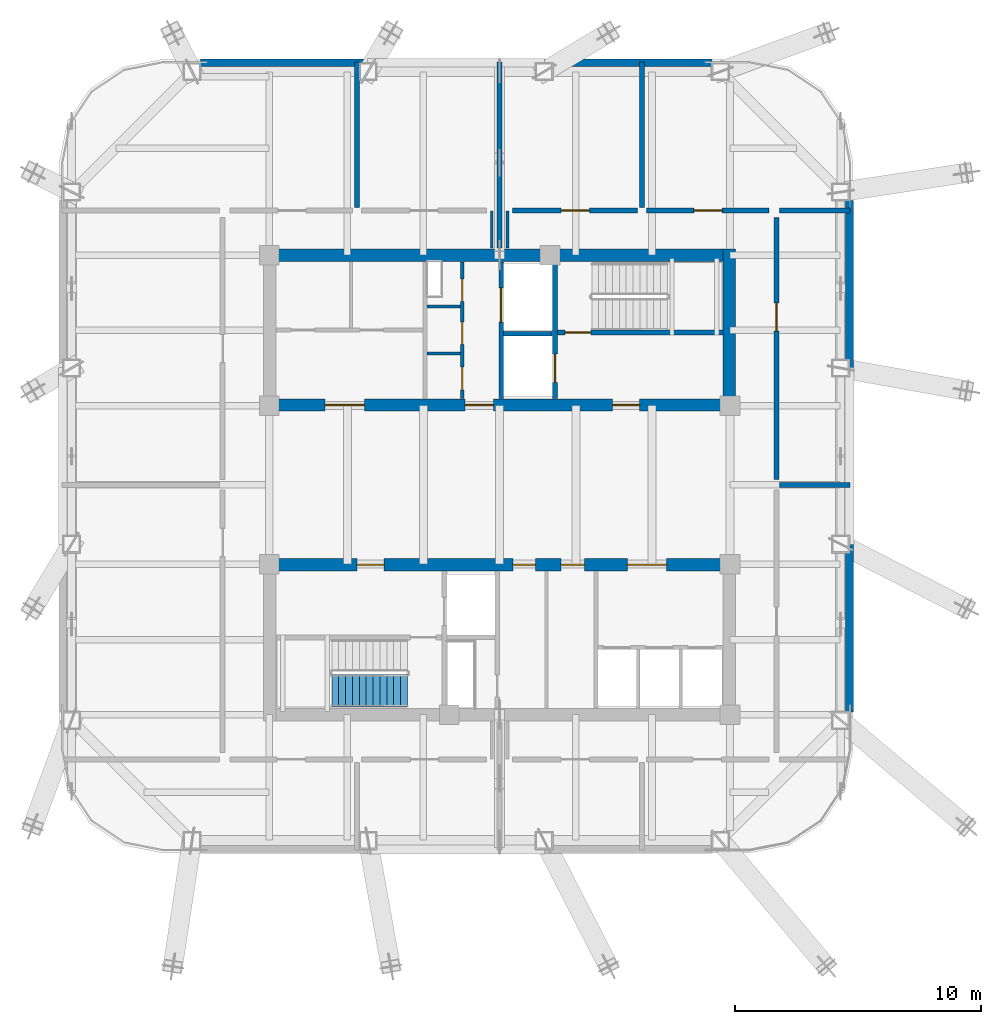
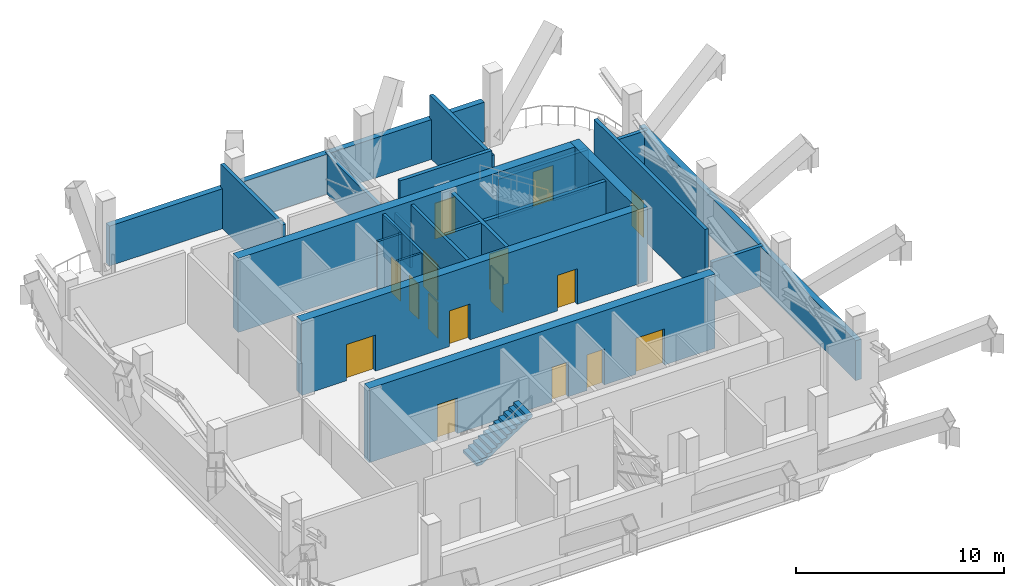
# One storey, part 5 of 9: 23 walls, 16 doors, 1 stair flight, 16 openings, 1 element without a shape of its own.
"""IFC4 building model written with IfcOpenShell, lengths in metres."""

from ifc_helpers import new_model, si_unit, direction, frame, frame_2d, origin, place, context, subcontext, project, spatial, polyline, rectangle, outline, extrude, material, layer, layer_set, type_object, element, fill, aggregate, save


model = new_model("IFC4")

# Units and contexts
model_context = context("Model", 3, precision=1e-05, world=origin(), true_north=direction((0.0, 1.0)))
body_context = subcontext(model_context, "Body", "Model", "MODEL_VIEW")
ifc_project = project(units=[si_unit("LENGTHUNIT", "METRE"), si_unit("AREAUNIT", "SQUARE_METRE"), si_unit("VOLUMEUNIT", "CUBIC_METRE"), si_unit("PLANEANGLEUNIT", "RADIAN"), si_unit("MASSUNIT", "GRAM", prefix="KILO")], contexts=[model_context])

# Site, building, storey
site_placement = place(None, origin())
site = spatial("IfcSite", under=ifc_project, at=site_placement, CompositionType="ELEMENT")
building_placement = place(site_placement, origin())
building = spatial("IfcBuilding", under=site, at=building_placement, Name="Qhalaya Broadcast Tower", CompositionType="ELEMENT")
storey_placement = place(building_placement, frame((0.0, 0.0, 195.14990234375)))
storey = spatial("IfcBuildingStorey", under=building, at=storey_placement, Name="L57", CompositionType="ELEMENT", Elevation=195.14990234375)

# Wall, openings, doors
ifc_material_1 = material(Name="Gypsum Acoustic Partition")
ifc_layer_1 = layer(ifc_material_1, 0.14990234375, Name="Gypsum Acoustic Partition")
ifc_layer_set_1 = layer_set([ifc_layer_1], Name="Gypsum Acoustic Partition")
wall_type_1 = type_object("IfcWallType", Name="Corridor & Tenancy Acoustic Partition 150", PredefinedType="PARTITIONING", material=ifc_layer_set_1)
wall_1_placement = place(storey_placement, frame((-1.52001953125, 4.1201171875, 0.0), z_axis=(0.0, 0.0, 1.0), x_axis=(0.0, 1.0, 0.0)))
wall_1 = element("IfcWall", 1, at=wall_1_placement, inside=storey, type_object=wall_type_1, Name="L57 Partition Wall NCW-SVL", PredefinedType="PARTITIONING", context=body_context, shape_type="SweptSolid", body=[
    extrude(rectangle(XDim=5.559814453125, YDim=0.14990234375, at=frame_2d((2.77978515625, 0.0))), origin(), (0.0, 0.0, 1.0), 4.16015625),
])
opening_1_placement = place(wall_1_placement, frame((3.949951171875, 0.0, 0.0)))
opening_1 = element("IfcOpeningElement", 2, at=opening_1_placement, cuts=wall_1, Name="Opening D06", PredefinedType="OPENING", context=body_context, shape_type="SweptSolid", body=[
    extrude(rectangle(XDim=0.89990234375, YDim=2.050048828125, at=frame_2d((0.449951171875, 1.02490234375))), frame((0.0, 0.0869140625, 0.0), z_axis=(0.0, -1.0, 0.0), x_axis=(1.0, 0.0, 0.0)), (0.0, 0.0, 1.0), 0.173828125),
])
opening_2_placement = place(wall_1_placement, frame((2.199951171875, 0.0, 0.0)))
opening_2 = element("IfcOpeningElement", 3, at=opening_2_placement, cuts=wall_1, Name="Opening D06", PredefinedType="OPENING", context=body_context, shape_type="SweptSolid", body=[
    extrude(rectangle(XDim=0.89990234375, YDim=2.050048828125, at=frame_2d((0.449951171875, 1.02490234375))), frame((0.0, 0.0869140625, 0.0), z_axis=(0.0, -1.0, 0.0), x_axis=(1.0, 0.0, 0.0)), (0.0, 0.0, 1.0), 0.173828125),
])
opening_3_placement = place(wall_1_placement, frame((0.35009765625, 0.0, 0.0)))
opening_3 = element("IfcOpeningElement", 4, at=opening_3_placement, cuts=wall_1, Name="Opening D12", PredefinedType="OPENING", context=body_context, shape_type="SweptSolid", body=[
    extrude(rectangle(XDim=0.919921875, YDim=2.10009765625, at=frame_2d((0.4599609375, 1.050048828125))), frame((0.0, 0.0869140625, 0.0), z_axis=(0.0, -1.0, 0.0), x_axis=(1.0, 0.0, 0.0)), (0.0, 0.0, 1.0), 0.173828125),
])
ifc_material_2 = material(Name="Timber Veneer Acoustic Door", Category="wood")
door_type_1 = type_object("IfcDoorType", Name="Accessible WC & Restroom Door D12", OperationType="NOTDEFINED", PredefinedType="DOOR", material=ifc_material_2)
door_1_placement = place(opening_3_placement, origin())
door_1 = element("IfcDoor", 5, at=door_1_placement, inside=storey, type_object=door_type_1, Name="L57 Door D-NCWC", OperationType="SINGLE_SWING_RIGHT", OverallHeight=2.10009765625, OverallWidth=0.919921875, PredefinedType="DOOR", context=body_context, shape_type="SweptSolid", body=[
    extrude(rectangle(XDim=0.919921875, YDim=2.10009765625, at=frame_2d((0.4599609375, 1.050048828125))), frame((0.0, 0.02490234375, 0.0), z_axis=(0.0, -1.0, 0.0), x_axis=(1.0, 0.0, 0.0)), (0.0, 0.0, 1.0), 0.050048828125),
])
fill(opening_3, door_1)
ifc_material_3 = material(Name="Fire-Rated Steel Door", Category="steel")
door_type_2 = type_object("IfcDoorType", Name="Riser & Electrical Shaft Access Door D06", OperationType="NOTDEFINED", PredefinedType="DOOR", material=ifc_material_3)
door_2_placement = place(opening_1_placement, origin())
door_2 = element("IfcDoor", 6, at=door_2_placement, inside=storey, type_object=door_type_2, Name="L57 Riser Shaft Access Door D-NRSR", OperationType="SINGLE_SWING_RIGHT", OverallHeight=2.050048828125, OverallWidth=0.89990234375, PredefinedType="DOOR", context=body_context, shape_type="SweptSolid", body=[
    extrude(rectangle(XDim=0.89990234375, YDim=2.050048828125, at=frame_2d((0.449951171875, 1.02490234375))), frame((0.0, 0.02490234375, 0.0), z_axis=(0.0, -1.0, 0.0), x_axis=(1.0, 0.0, 0.0)), (0.0, 0.0, 1.0), 0.050048828125),
])
fill(opening_1, door_2)
door_3_placement = place(opening_2_placement, origin())
door_3 = element("IfcDoor", 7, at=door_3_placement, inside=storey, type_object=door_type_2, Name="L57 Door D-NITR", OperationType="SINGLE_SWING_LEFT", OverallHeight=2.050048828125, OverallWidth=0.89990234375, PredefinedType="DOOR", context=body_context, shape_type="SweptSolid", body=[
    extrude(rectangle(XDim=0.89990234375, YDim=2.050048828125, at=frame_2d((0.449951171875, 1.02490234375))), frame((0.0, 0.02490234375, 0.0), z_axis=(0.0, -1.0, 0.0), x_axis=(1.0, 0.0, 0.0)), (0.0, 0.0, 1.0), 0.050048828125),
])
fill(opening_2, door_3)

# Walls
ifc_layer_2 = layer(ifc_material_1, 0.199951171875, Name="Gypsum Acoustic Partition")
ifc_layer_set_2 = layer_set([ifc_layer_2], Name="Gypsum Acoustic Partition")
wall_type_2 = type_object("IfcWallType", Name="Firefighting Lobby & Stair Enclosure Wall 200", PredefinedType="PARTITIONING", material=ifc_layer_set_2)
wall_2_placement = place(storey_placement, frame((0.0, 10.239990234375, 0.0), z_axis=(0.0, 0.0, 1.0), x_axis=(0.0, 1.0, 0.0)))
element("IfcWall", 8, at=wall_2_placement, inside=storey, type_object=wall_type_2, Name="L57 Partition Wall W-OBN", PredefinedType="PARTITIONING", context=body_context, shape_type="SweptSolid", body=[
    extrude(rectangle(XDim=7.56005859375, YDim=0.199951171875, at=frame_2d((3.780029296875, 0.0))), origin(), (0.0, 0.0, 1.0), 2.340087890625),
])
wall_3_placement = place(storey_placement, frame((-5.800048828125, 11.889892578125, 0.0), z_axis=(0.0, 0.0, 1.0), x_axis=(0.0, 1.0, 0.0)))
element("IfcWall", 9, at=wall_3_placement, inside=storey, type_object=wall_type_2, Name="L57 Partition Wall W-PDN1", PredefinedType="PARTITIONING", context=body_context, shape_type="SweptSolid", body=[
    extrude(rectangle(XDim=5.91015625, YDim=0.199951171875, at=frame_2d((2.955078125, 0.0))), origin(), (0.0, 0.0, 1.0), 3.68115234375),
])

# Wall, opening, door
wall_4_placement = place(storey_placement, frame((5.6201171875, 11.77001953125, 0.0), z_axis=(0.0, 0.0, 1.0), x_axis=(-1.0, 0.0, 0.0)))
wall_4 = element("IfcWall", 10, at=wall_4_placement, inside=storey, type_object=wall_type_2, Name="L57 Partition Wall W-PCN2", PredefinedType="PARTITIONING", context=body_context, shape_type="SweptSolid", body=[
    extrude(rectangle(XDim=5.090087890625, YDim=0.199951171875, at=frame_2d((2.544921875, 0.0))), origin(), (0.0, 0.0, 1.0), 4.16015625),
])
opening_4_placement = place(wall_4_placement, frame((1.969970703125, 0.0, 0.0)))
opening_4 = element("IfcOpeningElement", 11, at=opening_4_placement, cuts=wall_4, Name="Opening D05", PredefinedType="OPENING", context=body_context, shape_type="SweptSolid", body=[
    extrude(rectangle(XDim=1.14990234375, YDim=2.10009765625, at=frame_2d((0.574951171875, 1.050048828125))), frame((0.0, 0.112060546875, 0.0), z_axis=(0.0, -1.0, 0.0), x_axis=(1.0, 0.0, 0.0)), (0.0, 0.0, 1.0), 0.223876953125),
])
door_type_3 = type_object("IfcDoorType", Name="Refuge & Plant Room Fire Door D05", OperationType="NOTDEFINED", PredefinedType="DOOR", material=ifc_material_3)
door_4_placement = place(opening_4_placement, origin())
door_4 = element("IfcDoor", 12, at=door_4_placement, inside=storey, type_object=door_type_3, Name="L57 Door D-PCN2", OperationType="SINGLE_SWING_LEFT", OverallHeight=2.10009765625, OverallWidth=1.14990234375, PredefinedType="DOOR", context=body_context, shape_type="SweptSolid", body=[
    extrude(rectangle(XDim=1.14990234375, YDim=2.10009765625, at=frame_2d((0.574951171875, 1.050048828125))), frame((0.0, 0.02490234375, 0.0), z_axis=(0.0, -1.0, 0.0), x_axis=(1.0, 0.0, 0.0)), (0.0, 0.0, 1.0), 0.050048828125),
])
fill(opening_4, door_4)

# Wall
wall_5_placement = place(storey_placement, frame((5.800048828125, 11.889892578125, 0.0), z_axis=(0.0, 0.0, 1.0), x_axis=(0.0, 1.0, 0.0)))
element("IfcWall", 13, at=wall_5_placement, inside=storey, type_object=wall_type_2, Name="L57 Partition Wall W-PDN3", PredefinedType="PARTITIONING", context=body_context, shape_type="SweptSolid", body=[
    extrude(rectangle(XDim=5.91015625, YDim=0.199951171875, at=frame_2d((2.955078125, 0.0))), origin(), (0.0, 0.0, 1.0), 3.68115234375),
])

# Wall, opening, door
wall_6_placement = place(storey_placement, frame((10.969970703125, 11.77001953125, 0.0), z_axis=(0.0, 0.0, 1.0), x_axis=(-1.0, 0.0, 0.0)))
wall_6 = element("IfcWall", 14, at=wall_6_placement, inside=storey, type_object=wall_type_2, Name="L57 Partition Wall W-PCN3", PredefinedType="PARTITIONING", context=body_context, shape_type="SweptSolid", body=[
    extrude(rectangle(XDim=4.989990234375, YDim=0.199951171875, at=frame_2d((2.4951171875, 0.0))), origin(), (0.0, 0.0, 1.0), 2.340087890625),
])
opening_5_placement = place(wall_6_placement, frame((1.919921875, 0.0, 0.0)))
opening_5 = element("IfcOpeningElement", 15, at=opening_5_placement, cuts=wall_6, Name="Opening D05", PredefinedType="OPENING", context=body_context, shape_type="SweptSolid", body=[
    extrude(rectangle(XDim=1.14990234375, YDim=2.10009765625, at=frame_2d((0.574951171875, 1.050048828125))), frame((0.0, 0.112060546875, 0.0), z_axis=(0.0, -1.0, 0.0), x_axis=(1.0, 0.0, 0.0)), (0.0, 0.0, 1.0), 0.223876953125),
])
door_5_placement = place(opening_5_placement, origin())
door_5 = element("IfcDoor", 16, at=door_5_placement, inside=storey, type_object=door_type_3, Name="L57 Door D-PCN3", OperationType="SINGLE_SWING_LEFT", OverallHeight=2.10009765625, OverallWidth=1.14990234375, PredefinedType="DOOR", context=body_context, shape_type="SweptSolid", body=[
    extrude(rectangle(XDim=1.14990234375, YDim=2.10009765625, at=frame_2d((0.574951171875, 1.050048828125))), frame((0.0, 0.02490234375, 0.0), z_axis=(0.0, -1.0, 0.0), x_axis=(1.0, 0.0, 0.0)), (0.0, 0.0, 1.0), 0.050048828125),
])
fill(opening_5, door_5)

# Walls
for number, where, z_axis, x_axis, name in (
    (17, (11.389892578125, 11.77001953125, 0.0), (0.0, 0.0, 1.0), (1.0, 0.0, 0.0), "L57 Partition Wall W-PBNE"),
    (18, (11.389892578125, 0.60009765625, 0.0), (0.0, 0.0, 1.0), (1.0, 0.0, 0.0), "L57 Partition Wall W-PDE1"),
):
    element("IfcWall", number, at=place(storey_placement, frame(where, z_axis=z_axis, x_axis=x_axis)), inside=storey, type_object=wall_type_2, Name=name, PredefinedType="PARTITIONING", context=body_context, shape_type="SweptSolid", body=[
        extrude(rectangle(XDim=2.8701171875, YDim=0.199951171875, at=frame_2d((1.43505859375, 0.0))), origin(), (0.0, 0.0, 1.0), 2.340087890625),
    ])

# Wall, opening, door
wall_7_placement = place(storey_placement, frame((11.27001953125, 0.81005859375, 0.0), z_axis=(0.0, 0.0, 1.0), x_axis=(0.0, 1.0, 0.0)))
wall_7 = element("IfcWall", 19, at=wall_7_placement, inside=storey, type_object=wall_type_2, Name="L57 Partition Wall W-PCE2", PredefinedType="PARTITIONING", context=body_context, shape_type="SweptSolid", body=[
    extrude(rectangle(XDim=10.679931640625, YDim=0.199951171875, at=frame_2d((5.33984375, 0.0))), origin(), (0.0, 0.0, 1.0), 4.16015625),
])
opening_6_placement = place(wall_7_placement, frame((6.047119140625, 0.0, 0.0)))
opening_6 = element("IfcOpeningElement", 20, at=opening_6_placement, cuts=wall_7, Name="Opening D05", PredefinedType="OPENING", context=body_context, shape_type="SweptSolid", body=[
    extrude(rectangle(XDim=1.14990234375, YDim=2.10009765625, at=frame_2d((0.574951171875, 1.050048828125))), frame((0.0, 0.112060546875, 0.0), z_axis=(0.0, -1.0, 0.0), x_axis=(1.0, 0.0, 0.0)), (0.0, 0.0, 1.0), 0.223876953125),
])
door_6_placement = place(opening_6_placement, origin())
door_6 = element("IfcDoor", 21, at=door_6_placement, inside=storey, type_object=door_type_3, Name="L57 Door D-PCE2", OperationType="SINGLE_SWING_LEFT", OverallHeight=2.10009765625, OverallWidth=1.14990234375, PredefinedType="DOOR", context=body_context, shape_type="SweptSolid", body=[
    extrude(rectangle(XDim=1.14990234375, YDim=2.10009765625, at=frame_2d((0.574951171875, 1.050048828125))), frame((0.0, 0.02490234375, 0.0), z_axis=(0.0, -1.0, 0.0), x_axis=(1.0, 0.0, 0.0)), (0.0, 0.0, 1.0), 0.050048828125),
])
fill(opening_6, door_6)

ifc_material_4 = material(Name="Concrete C50/60", Category="concrete")
ifc_layer_3 = layer(ifc_material_4, 0.199951171875, Name="Concrete C50/60")
ifc_layer_set_3 = layer_set([ifc_layer_3], Name="Concrete C50/60")
wall_type_3 = type_object("IfcWallType", Name="Load-Bearing Stair Shaft Wall 200", PredefinedType="SHEAR", material=ifc_layer_set_3)
wall_8_placement = place(storey_placement, frame((2.360107421875, 6.804931640625, 0.0), z_axis=(0.0, 0.0, 1.0), x_axis=(1.0, 0.0, 0.0)))
wall_8 = element("IfcWall", 22, at=wall_8_placement, inside=storey, type_object=wall_type_3, Name="L57 Stair Core Shear Wall NCW-ST1", PredefinedType="SHEAR", context=body_context, shape_type="SweptSolid", body=[
    extrude(rectangle(XDim=6.719970703125, YDim=0.199951171875, at=frame_2d((3.35986328125, 0.0))), origin(), (0.0, 0.0, 1.0), 4.16015625),
])
opening_7_placement = place(wall_8_placement, frame((0.300048828125, 0.0, 0.0)))
opening_7 = element("IfcOpeningElement", 23, at=opening_7_placement, cuts=wall_8, Name="Opening D03", PredefinedType="OPENING", context=body_context, shape_type="SweptSolid", body=[
    extrude(rectangle(XDim=1.050048828125, YDim=2.080078125, at=frame_2d((0.52490234375, 1.0400390625))), frame((0.0, 0.112060546875, 0.0), z_axis=(0.0, -1.0, 0.0), x_axis=(1.0, 0.0, 0.0)), (0.0, 0.0, 1.0), 0.223876953125),
])
door_type_4 = type_object("IfcDoorType", Name="Core Stair Protected Fire Door D03", OperationType="NOTDEFINED", PredefinedType="DOOR", material=ifc_material_3)
door_7_placement = place(opening_7_placement, origin())
door_7 = element("IfcDoor", 24, at=door_7_placement, inside=storey, type_object=door_type_4, Name="L57 Door D-NST1", OperationType="SINGLE_SWING_LEFT", OverallHeight=2.080078125, OverallWidth=1.050048828125, PredefinedType="DOOR", context=body_context, shape_type="SweptSolid", body=[
    extrude(rectangle(XDim=1.050048828125, YDim=2.080078125, at=frame_2d((0.52490234375, 1.0400390625))), frame((0.0, 0.02490234375, 0.0), z_axis=(0.0, -1.0, 0.0), x_axis=(1.0, 0.0, 0.0)), (0.0, 0.0, 1.0), 0.050048828125),
])
fill(opening_7, door_7)

wall_9_placement = place(storey_placement, frame((2.25, 4.1201171875, 0.0), z_axis=(0.0, 0.0, 1.0), x_axis=(0.0, 1.0, 0.0)))
wall_9 = element("IfcWall", 25, at=wall_9_placement, inside=storey, type_object=wall_type_3, Name="L57 Stair Core Shear Wall NCW-FF", PredefinedType="SHEAR", context=body_context, shape_type="SweptSolid", body=[
    extrude(rectangle(XDim=5.559814453125, YDim=0.199951171875, at=frame_2d((2.77978515625, 0.0))), origin(), (0.0, 0.0, 1.0), 4.16015625),
])
opening_8_placement = place(wall_9_placement, frame((0.64990234375, 0.0, 0.0)))
opening_8 = element("IfcOpeningElement", 26, at=opening_8_placement, cuts=wall_9, Name="Opening LD2", PredefinedType="OPENING", context=body_context, shape_type="SweptSolid", body=[
    extrude(rectangle(XDim=1.14990234375, YDim=2.080078125, at=frame_2d((0.574951171875, 1.0400390625))), frame((0.0, 0.112060546875, 0.0), z_axis=(0.0, -1.0, 0.0), x_axis=(1.0, 0.0, 0.0)), (0.0, 0.0, 1.0), 0.223876953125),
])
ifc_material_5 = material(Name="Brushed Stainless Steel Lift Door", Category="steel")
door_type_5 = type_object("IfcDoorType", Name="Firefighting Lift Sliding Landing Door LD2", OperationType="DOUBLE_DOOR_SLIDING", PredefinedType="DOOR", material=ifc_material_5)
door_8_placement = place(opening_8_placement, origin())
door_8 = element("IfcDoor", 27, at=door_8_placement, inside=storey, type_object=door_type_5, Name="L57 Door LD-FF1", OperationType="DOUBLE_DOOR_SLIDING", OverallHeight=2.080078125, OverallWidth=1.14990234375, PredefinedType="DOOR", context=body_context, shape_type="SweptSolid", body=[
    extrude(rectangle(XDim=1.14990234375, YDim=2.080078125, at=frame_2d((0.574951171875, 1.0400390625))), frame((0.0, 0.02490234375, 0.0), z_axis=(0.0, -1.0, 0.0), x_axis=(1.0, 0.0, 0.0)), (0.0, 0.0, 1.0), 0.050048828125),
])
fill(opening_8, door_8)

# Wall
ifc_layer_4 = layer(ifc_material_4, 0.5, Name="Concrete C50/60")
ifc_layer_set_4 = layer_set([ifc_layer_4], Name="Concrete C50/60")
wall_type_4 = type_object("IfcWallType", Name="Mid Split-Core Shear Wall 500", PredefinedType="SHEAR", material=ifc_layer_set_4)
wall_10_placement = place(storey_placement, frame((-9.60009765625, 9.949951171875, 0.0), z_axis=(0.0, 0.0, 1.0), x_axis=(1.0, 0.0, 0.0)))
element("IfcWall", 28, at=wall_10_placement, inside=storey, type_object=wall_type_4, Name="L57 Split-Core Shear Wall CW-NN", PredefinedType="SHEAR", context=body_context, shape_type="SweptSolid", body=[
    extrude(rectangle(XDim=19.2001953125, YDim=0.5, at=frame_2d((9.60009765625, 0.0))), origin(), (0.0, 0.0, 1.0), 4.35009765625),
])

# Wall, openings, doors
wall_11_placement = place(storey_placement, frame((-9.60009765625, 3.85009765625, 0.0), z_axis=(0.0, 0.0, 1.0), x_axis=(1.0, 0.0, 0.0)))
wall_11 = element("IfcWall", 29, at=wall_11_placement, inside=storey, type_object=wall_type_4, Name="L57 Split-Core Shear Wall CW-NS", PredefinedType="SHEAR", context=body_context, shape_type="SweptSolid", body=[
    extrude(rectangle(XDim=19.2001953125, YDim=0.5, at=frame_2d((9.60009765625, 0.0))), origin(), (0.0, 0.0, 1.0), 4.35009765625),
])
opening_9_placement = place(wall_11_placement, frame((14.199951171875, 0.0, 0.0)))
opening_9 = element("IfcOpeningElement", 30, at=opening_9_placement, cuts=wall_11, Name="Opening D04", PredefinedType="OPENING", context=body_context, shape_type="SweptSolid", body=[
    extrude(rectangle(XDim=1.10009765625, YDim=2.080078125, at=frame_2d((0.550048828125, 1.0400390625))), frame((0.0, 0.261962890625, 0.0), z_axis=(0.0, -1.0, 0.0), x_axis=(1.0, 0.0, 0.0)), (0.0, 0.0, 1.0), 0.52392578125),
])
opening_10_placement = place(wall_11_placement, frame((8.199951171875, 0.0, 0.0)))
opening_10 = element("IfcOpeningElement", 31, at=opening_10_placement, cuts=wall_11, Name="Opening D05", PredefinedType="OPENING", context=body_context, shape_type="SweptSolid", body=[
    extrude(rectangle(XDim=1.14990234375, YDim=2.10009765625, at=frame_2d((0.574951171875, 1.050048828125))), frame((0.0, 0.261962890625, 0.0), z_axis=(0.0, -1.0, 0.0), x_axis=(1.0, 0.0, 0.0)), (0.0, 0.0, 1.0), 0.52392578125),
])
opening_11_placement = place(wall_11_placement, frame((2.5, 0.0, 0.0)))
opening_11 = element("IfcOpeningElement", 32, at=opening_11_placement, cuts=wall_11, Name="Opening D07", PredefinedType="OPENING", context=body_context, shape_type="SweptSolid", body=[
    extrude(rectangle(XDim=1.60009765625, YDim=2.1201171875, at=frame_2d((0.800048828125, 1.06005859375))), frame((0.0, 0.261962890625, 0.0), z_axis=(0.0, -1.0, 0.0), x_axis=(1.0, 0.0, 0.0)), (0.0, 0.0, 1.0), 0.52392578125),
])
door_type_6 = type_object("IfcDoorType", Name="Firefighting Lobby Rated Door D04", OperationType="NOTDEFINED", PredefinedType="DOOR", material=ifc_material_3)
door_9_placement = place(opening_9_placement, origin())
door_9 = element("IfcDoor", 33, at=door_9_placement, inside=storey, type_object=door_type_6, Name="L57 Door D-NFF", OperationType="SINGLE_SWING_RIGHT", OverallHeight=2.080078125, OverallWidth=1.10009765625, PredefinedType="DOOR", context=body_context, shape_type="SweptSolid", body=[
    extrude(rectangle(XDim=1.10009765625, YDim=2.080078125, at=frame_2d((0.550048828125, 1.0400390625))), frame((0.0, 0.02490234375, 0.0), z_axis=(0.0, -1.0, 0.0), x_axis=(1.0, 0.0, 0.0)), (0.0, 0.0, 1.0), 0.050048828125),
])
fill(opening_9, door_9)
ifc_material_6 = material(Name="Anodised Aluminium Glazed Door", Category="aluminium")
door_type_7 = type_object("IfcDoorType", Name="Passenger Lift Lobby Double Glazed Door D07", OperationType="DOUBLE_DOOR_SINGLE_SWING", PredefinedType="DOOR", material=ifc_material_6)
door_10_placement = place(opening_11_placement, origin())
door_10 = element("IfcDoor", 34, at=door_10_placement, inside=storey, type_object=door_type_7, Name="L57 Door D-NRECV", OperationType="DOUBLE_DOOR_SINGLE_SWING", OverallHeight=2.1201171875, OverallWidth=1.60009765625, PredefinedType="DOOR", context=body_context, shape_type="SweptSolid", body=[
    extrude(rectangle(XDim=1.60009765625, YDim=2.1201171875, at=frame_2d((0.800048828125, 1.06005859375))), frame((0.0, 0.02490234375, 0.0), z_axis=(0.0, -1.0, 0.0), x_axis=(1.0, 0.0, 0.0)), (0.0, 0.0, 1.0), 0.050048828125),
])
fill(opening_11, door_10)
door_11_placement = place(opening_10_placement, origin())
door_11 = element("IfcDoor", 35, at=door_11_placement, inside=storey, type_object=door_type_3, Name="L57 Door D-NSVL", OperationType="SINGLE_SWING_LEFT", OverallHeight=2.10009765625, OverallWidth=1.14990234375, PredefinedType="DOOR", context=body_context, shape_type="SweptSolid", body=[
    extrude(rectangle(XDim=1.14990234375, YDim=2.10009765625, at=frame_2d((0.574951171875, 1.050048828125))), frame((0.0, 0.02490234375, 0.0), z_axis=(0.0, -1.0, 0.0), x_axis=(1.0, 0.0, 0.0)), (0.0, 0.0, 1.0), 0.050048828125),
])
fill(opening_10, door_11)

# Wall
wall_12_placement = place(storey_placement, frame((9.35009765625, 3.60009765625, 0.0), z_axis=(0.0, 0.0, 1.0), x_axis=(0.0, 1.0, 0.0)))
element("IfcWall", 36, at=wall_12_placement, inside=storey, type_object=wall_type_4, Name="L57 Split-Core Shear Wall CW-NE", PredefinedType="SHEAR", context=body_context, shape_type="SweptSolid", body=[
    extrude(rectangle(XDim=6.599853515625, YDim=0.5, at=frame_2d((3.2998046875, 0.0))), origin(), (0.0, 0.0, 1.0), 4.35009765625),
])

# Wall, openings, doors
wall_13_placement = place(storey_placement, frame((-9.60009765625, -2.64990234375, 0.0), z_axis=(0.0, 0.0, 1.0), x_axis=(1.0, 0.0, 0.0)))
wall_13 = element("IfcWall", 37, at=wall_13_placement, inside=storey, type_object=wall_type_4, Name="L57 Split-Core Shear Wall CW-SN", PredefinedType="SHEAR", context=body_context, shape_type="SweptSolid", body=[
    extrude(rectangle(XDim=19.2001953125, YDim=0.5, at=frame_2d((9.60009765625, 0.0))), origin(), (0.0, 0.0, 1.0), 4.35009765625),
])
opening_12_placement = place(wall_13_placement, frame((3.800048828125, 0.0, 0.0)))
opening_12 = element("IfcOpeningElement", 38, at=opening_12_placement, cuts=wall_13, Name="Opening D04", PredefinedType="OPENING", context=body_context, shape_type="SweptSolid", body=[
    extrude(rectangle(XDim=1.10009765625, YDim=2.080078125, at=frame_2d((0.550048828125, 1.0400390625))), frame((0.0, 0.261962890625, 0.0), z_axis=(0.0, -1.0, 0.0), x_axis=(1.0, 0.0, 0.0)), (0.0, 0.0, 1.0), 0.52392578125),
])
opening_13_placement = place(wall_13_placement, frame((10.14990234375, 0.0, 0.0)))
opening_13 = element("IfcOpeningElement", 39, at=opening_13_placement, cuts=wall_13, Name="Opening D06", PredefinedType="OPENING", context=body_context, shape_type="SweptSolid", body=[
    extrude(rectangle(XDim=0.89990234375, YDim=2.050048828125, at=frame_2d((0.449951171875, 1.02490234375))), frame((0.0, 0.261962890625, 0.0), z_axis=(0.0, -1.0, 0.0), x_axis=(1.0, 0.0, 0.0)), (0.0, 0.0, 1.0), 0.52392578125),
])
opening_14_placement = place(wall_13_placement, frame((12.10009765625, 0.0, 0.0)))
opening_14 = element("IfcOpeningElement", 40, at=opening_14_placement, cuts=wall_13, Name="Opening D10", PredefinedType="OPENING", context=body_context, shape_type="SweptSolid", body=[
    extrude(rectangle(XDim=0.949951171875, YDim=2.10009765625, at=frame_2d((0.47509765625, 1.050048828125))), frame((0.0, 0.261962890625, 0.0), z_axis=(0.0, -1.0, 0.0), x_axis=(1.0, 0.0, 0.0)), (0.0, 0.0, 1.0), 0.52392578125),
])
opening_15_placement = place(wall_13_placement, frame((14.800048828125, 0.0, 0.0)))
opening_15 = element("IfcOpeningElement", 41, at=opening_15_placement, cuts=wall_13, Name="Opening D07", PredefinedType="OPENING", context=body_context, shape_type="SweptSolid", body=[
    extrude(rectangle(XDim=1.60009765625, YDim=2.1201171875, at=frame_2d((0.800048828125, 1.06005859375))), frame((0.0, 0.261962890625, 0.0), z_axis=(0.0, -1.0, 0.0), x_axis=(1.0, 0.0, 0.0)), (0.0, 0.0, 1.0), 0.52392578125),
])
door_type_8 = type_object("IfcDoorType", Name="Cellular Office & Edit Booth Door D10", OperationType="NOTDEFINED", PredefinedType="DOOR", material=ifc_material_2)
door_12_placement = place(opening_14_placement, origin())
door_12 = element("IfcDoor", 42, at=door_12_placement, inside=storey, type_object=door_type_8, Name="L57 Door D-SREC2", OperationType="SINGLE_SWING_RIGHT", OverallHeight=2.10009765625, OverallWidth=0.949951171875, PredefinedType="DOOR", context=body_context, shape_type="SweptSolid", body=[
    extrude(rectangle(XDim=0.949951171875, YDim=2.10009765625, at=frame_2d((0.47509765625, 1.050048828125))), frame((0.0, 0.02490234375, 0.0), z_axis=(0.0, -1.0, 0.0), x_axis=(1.0, 0.0, 0.0)), (0.0, 0.0, 1.0), 0.050048828125),
])
fill(opening_14, door_12)
door_13_placement = place(opening_12_placement, origin())
door_13 = element("IfcDoor", 43, at=door_13_placement, inside=storey, type_object=door_type_6, Name="L57 Door D-SFF", OperationType="SINGLE_SWING_LEFT", OverallHeight=2.080078125, OverallWidth=1.10009765625, PredefinedType="DOOR", context=body_context, shape_type="SweptSolid", body=[
    extrude(rectangle(XDim=1.10009765625, YDim=2.080078125, at=frame_2d((0.550048828125, 1.0400390625))), frame((0.0, 0.02490234375, 0.0), z_axis=(0.0, -1.0, 0.0), x_axis=(1.0, 0.0, 0.0)), (0.0, 0.0, 1.0), 0.050048828125),
])
fill(opening_12, door_13)
door_14_placement = place(opening_15_placement, origin())
door_14 = element("IfcDoor", 44, at=door_14_placement, inside=storey, type_object=door_type_7, Name="L57 Door D-SPLL", OperationType="DOUBLE_DOOR_SINGLE_SWING", OverallHeight=2.1201171875, OverallWidth=1.60009765625, PredefinedType="DOOR", context=body_context, shape_type="SweptSolid", body=[
    extrude(rectangle(XDim=1.60009765625, YDim=2.1201171875, at=frame_2d((0.800048828125, 1.06005859375))), frame((0.0, 0.02490234375, 0.0), z_axis=(0.0, -1.0, 0.0), x_axis=(1.0, 0.0, 0.0)), (0.0, 0.0, 1.0), 0.050048828125),
])
fill(opening_15, door_14)
door_15_placement = place(opening_13_placement, origin())
door_15 = element("IfcDoor", 45, at=door_15_placement, inside=storey, type_object=door_type_2, Name="L57 Door D-SREC1", OperationType="SINGLE_SWING_LEFT", OverallHeight=2.050048828125, OverallWidth=0.89990234375, PredefinedType="DOOR", context=body_context, shape_type="SweptSolid", body=[
    extrude(rectangle(XDim=0.89990234375, YDim=2.050048828125, at=frame_2d((0.449951171875, 1.02490234375))), frame((0.0, 0.02490234375, 0.0), z_axis=(0.0, -1.0, 0.0), x_axis=(1.0, 0.0, 0.0)), (0.0, 0.0, 1.0), 0.050048828125),
])
fill(opening_13, door_15)

# Walls
ifc_layer_5 = layer(ifc_material_1, 0.1201171875, Name="Gypsum Acoustic Partition")
ifc_layer_set_5 = layer_set([ifc_layer_5], Name="Gypsum Acoustic Partition")
wall_type_5 = type_object("IfcWallType", Name="Office, Booth & Sanitary Partition 120", PredefinedType="PARTITIONING", material=ifc_layer_set_5)
for number, where, z_axis, x_axis, name in (
    (46, (-2.9599609375, 5.949951171875, 0.0), (0.0, 0.0, 1.0), (1.0, 0.0, 0.0), "L57 Partition Wall NCW-VB1"),
    (47, (-2.9599609375, 7.85009765625, 0.0), (0.0, 0.0, 1.0), (1.0, 0.0, 0.0), "L57 Partition Wall NCW-VB2"),
):
    element("IfcWall", number, at=place(storey_placement, frame(where, z_axis=z_axis, x_axis=x_axis)), inside=storey, type_object=wall_type_5, Name=name, PredefinedType="PARTITIONING", context=body_context, shape_type="SweptSolid", body=[
        extrude(rectangle(XDim=1.35986328125, YDim=0.1201171875, at=frame_2d((0.679931640625, 0.0))), origin(), (0.0, 0.0, 1.0), 4.16015625),
    ])
for number, where, z_axis, x_axis, name in (
    (48, (-0.320068359375, 10.239990234375, 0.0), (0.0, 0.0, 1.0), (0.0, 1.0, 0.0), "L57 Partition Wall W-OBNCW"),
    (49, (0.320068359375, 10.239990234375, 0.0), (0.0, 0.0, 1.0), (0.0, 1.0, 0.0), "L57 Partition Wall W-OBNCE"),
):
    element("IfcWall", number, at=place(storey_placement, frame(where, z_axis=z_axis, x_axis=x_axis)), inside=storey, type_object=wall_type_5, Name=name, PredefinedType="PARTITIONING", context=body_context, shape_type="SweptSolid", body=[
        extrude(rectangle(XDim=1.510009765625, YDim=0.1201171875, at=frame_2d((0.7548828125, 0.0))), origin(), (0.0, 0.0, 1.0), 2.340087890625),
    ])
ifc_material_7 = material(Name="Precast Concrete C40/50", Category="concrete")
ifc_layer_6 = layer(ifc_material_7, 0.320068359375, Name="Precast Concrete C40/50")
ifc_layer_set_6 = layer_set([ifc_layer_6], Name="Precast Concrete C40/50")
wall_type_6 = type_object("IfcWallType", Name="Recessed Neck Insulated Exterior Wall 320", PredefinedType="SOLIDWALL", material=ifc_layer_set_6)
for number, where, z_axis, x_axis, name in (
    (50, (14.239990234375, 12.181884765625, 0.0), (0.0, 0.0, 1.0), (0.0, -1.0, 0.0), "L57 Exterior Facade Wall E"),
    (51, (-12.181884765625, 17.780029296875, 0.0), (0.0, 0.0, 1.0), (1.0, 0.0, 0.0), "L57 Exterior Facade Wall N"),
):
    element("IfcWall", number, at=place(storey_placement, frame(where, z_axis=z_axis, x_axis=x_axis)), inside=storey, type_object=wall_type_6, Name=name, PredefinedType="SOLIDWALL", context=body_context, shape_type="SweptSolid", body=[
        extrude(rectangle(XDim=20.823974609375, YDim=0.320068359375, at=frame_2d((10.412109375, 0.0))), origin(), (0.0, 0.0, 1.0), 2.340087890625),
    ])

# Wall, opening, door
ifc_layer_7 = layer(ifc_material_1, 0.175048828125, Name="Gypsum Acoustic Partition")
ifc_layer_set_7 = layer_set([ifc_layer_7], Name="Gypsum Acoustic Partition")
wall_type_7 = type_object("IfcWallType", Name="Shaft & Riser Fire Partition 175", PredefinedType="PARTITIONING", material=ifc_layer_set_7)
wall_14_placement = place(storey_placement, frame((0.06005859375, 4.1201171875, 0.0), z_axis=(0.0, 0.0, 1.0), x_axis=(0.0, 1.0, 0.0)))
wall_14 = element("IfcWall", 52, at=wall_14_placement, inside=storey, type_object=wall_type_7, Name="L57 Partition Wall NCW-SVW", PredefinedType="PARTITIONING", context=body_context, shape_type="SweptSolid", body=[
    extrude(rectangle(XDim=5.559814453125, YDim=0.175048828125, at=frame_2d((2.77978515625, 0.0))), origin(), (0.0, 0.0, 1.0), 4.16015625),
])
opening_16_placement = place(wall_14_placement, frame((3.10009765625, 0.0, 0.0)))
opening_16 = element("IfcOpeningElement", 53, at=opening_16_placement, cuts=wall_14, Name="Opening LD3", PredefinedType="OPENING", context=body_context, shape_type="SweptSolid", body=[
    extrude(rectangle(XDim=1.39990234375, YDim=2.1201171875, at=frame_2d((0.699951171875, 1.06005859375))), frame((0.0, 0.099609375, 0.0), z_axis=(0.0, -1.0, 0.0), x_axis=(1.0, 0.0, 0.0)), (0.0, 0.0, 1.0), 0.198974609375),
])
door_type_9 = type_object("IfcDoorType", Name="Service Lift Wide Sliding Landing Door LD3", OperationType="DOUBLE_DOOR_SLIDING", PredefinedType="DOOR", material=ifc_material_5)
door_16_placement = place(opening_16_placement, origin())
door_16 = element("IfcDoor", 54, at=door_16_placement, inside=storey, type_object=door_type_9, Name="L57 Door LD-SV1", OperationType="DOUBLE_DOOR_SLIDING", OverallHeight=2.1201171875, OverallWidth=1.39990234375, PredefinedType="DOOR", context=body_context, shape_type="SweptSolid", body=[
    extrude(rectangle(XDim=1.39990234375, YDim=2.1201171875, at=frame_2d((0.699951171875, 1.06005859375))), frame((0.0, 0.02490234375, 0.0), z_axis=(0.0, -1.0, 0.0), x_axis=(1.0, 0.0, 0.0)), (0.0, 0.0, 1.0), 0.050048828125),
])
fill(opening_16, door_16)

# Wall
wall_15_placement = place(storey_placement, frame((0.159912109375, 6.75, 0.0), z_axis=(0.0, 0.0, 1.0), x_axis=(1.0, 0.0, 0.0)))
element("IfcWall", 55, at=wall_15_placement, inside=storey, type_object=wall_type_7, Name="L57 Partition Wall NCW-SVM", PredefinedType="PARTITIONING", context=body_context, shape_type="SweptSolid", body=[
    extrude(rectangle(XDim=1.97998046875, YDim=0.175048828125, at=frame_2d((0.989990234375, 0.0))), origin(), (0.0, 0.0, 1.0), 4.16015625),
])

# Stair, stair flight
ifc_material_8 = material(Name="Concrete C40/50", Category="concrete")
stair_type = type_object("IfcStairType", Name="Protected Dogleg Core Stair 4200", PredefinedType="TWO_STRAIGHT_RUN_STAIR", material=ifc_material_8)
stair_placement = place(storey_placement, origin())
stair = element("IfcStair", 56, at=stair_placement, inside=storey, type_object=stair_type, Name="L57 South Core Exit Stair ST-2", PredefinedType="TWO_STRAIGHT_RUN_STAIR")
stair_flight_type = type_object("IfcStairFlightType", Name="Precast Concrete Stair Flight 4200", PredefinedType="STRAIGHT", material=ifc_material_7)
stair_flight_placement = place(storey_placement, frame((-6.830078125, -7.780029296875, 2.175048828125), z_axis=(0.0, 0.0, 1.0), x_axis=(1.0, 0.0, 0.0)))
stair_flight = element("IfcStairFlight", 57, at=stair_flight_placement, type_object=stair_flight_type, Name="ST-2 flight 2", NumberOfRisers=12, NumberOfTreads=11, PredefinedType="STRAIGHT", RiserHeight=0.18125, TreadLength=0.28, context=body_context, shape_type="SweptSolid", body=[
    extrude(outline(polyline([(0.0, 0.0), (0.0, 0.18115234375), (0.280029296875, 0.18115234375), (0.280029296875, 0.362548828125), (0.56005859375, 0.362548828125), (0.56005859375, 0.543701171875), (0.840087890625, 0.543701171875), (0.840087890625, 0.72509765625), (1.1201171875, 0.72509765625), (1.1201171875, 0.90625), (1.39990234375, 0.90625), (1.39990234375, 1.08740234375), (1.679931640625, 1.08740234375), (1.679931640625, 1.268798828125), (1.9599609375, 1.268798828125), (1.9599609375, 1.449951171875), (2.239990234375, 1.449951171875), (2.239990234375, 1.63134765625), (2.52001953125, 1.63134765625), (2.52001953125, 1.8125), (2.800048828125, 1.8125), (2.800048828125, 1.99365234375), (3.080078125, 1.99365234375), (3.080078125, 2.175048828125), (3.080078125, 1.815185546875), (0.27587890625, 0.0), (0.0, 0.0)])), frame((0.0, 0.66015625, 0.0), z_axis=(0.0, -1.0, 0.0), x_axis=(1.0, 0.0, 0.0)), (0.0, 0.0, 1.0), 1.320068359375),
])
aggregate(stair, [stair_flight])

save(model, "model.ifc")
